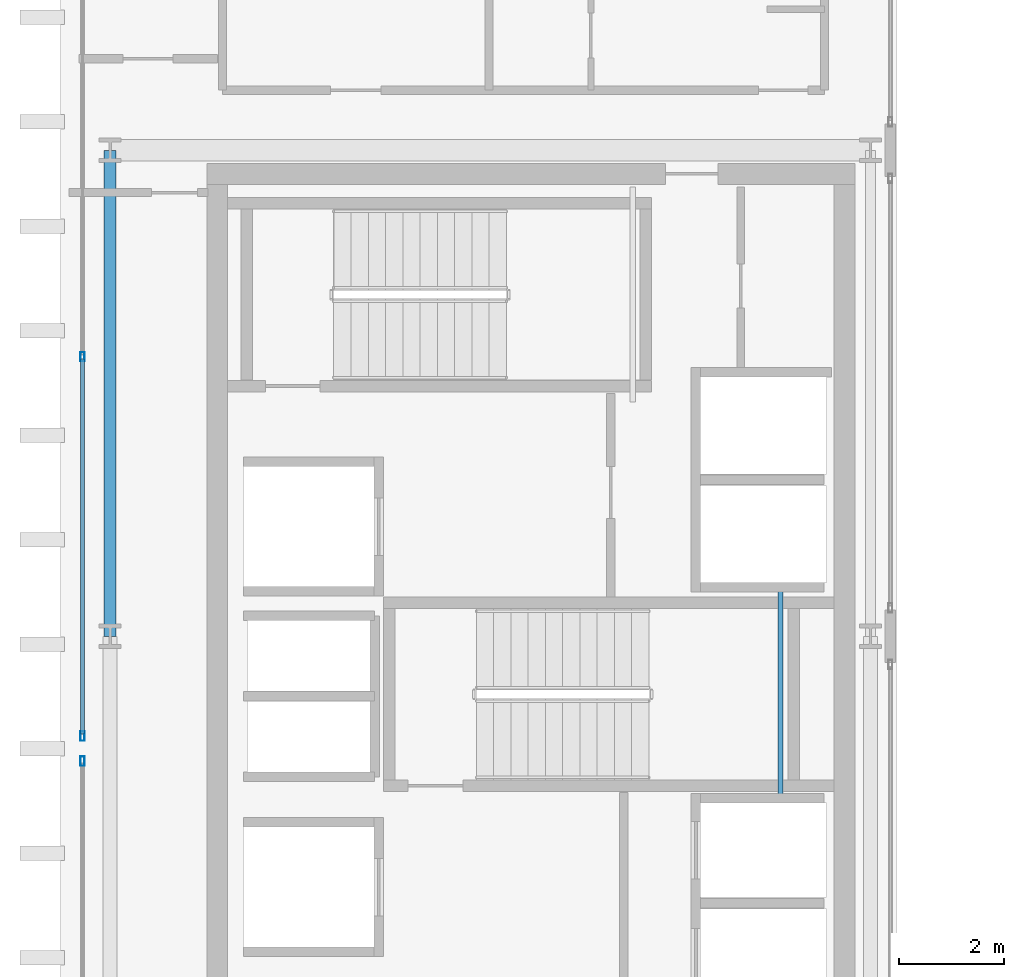
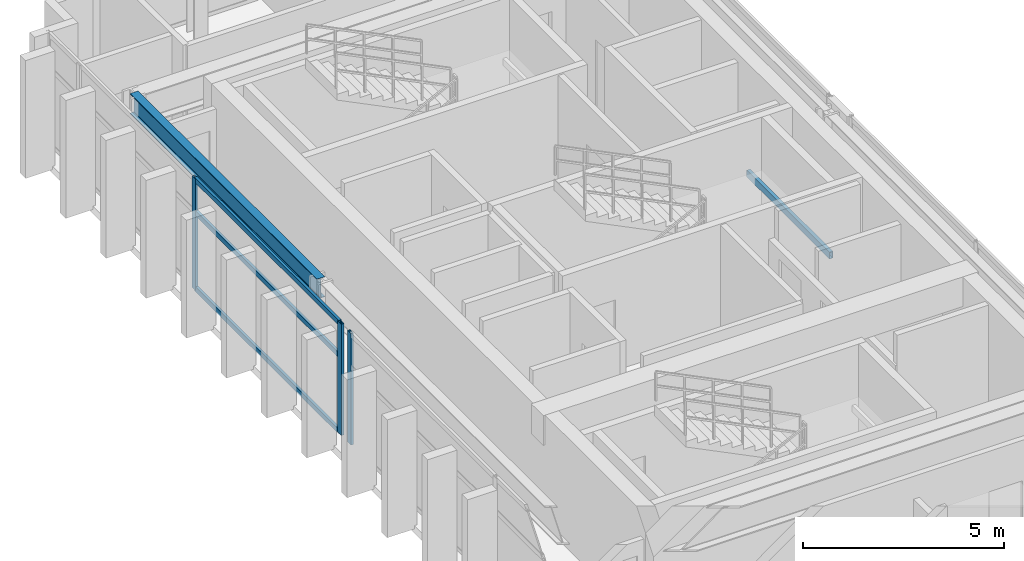
# One storey, part 5 of 25: 6 members, 2 beams, 2 elements without a shape of their own.
"""IFC4 building model written with IfcOpenShell, lengths in metres."""

from ifc_helpers import new_model, si_unit, direction, frame, origin, origin_2d, place, context, subcontext, project, spatial, hollow_rectangle, i_section, extrude, source, transform, mapped, material, layer, layer_set, material_profile, profile_set, type_object, element, aggregate, save


model = new_model("IFC4")

# Units and contexts
model_context = context("Model", 3, precision=1e-05, world=origin(), true_north=direction((0.0, 1.0)))
body_context = subcontext(model_context, "Body", "Model", "MODEL_VIEW")
ifc_project = project(units=[si_unit("LENGTHUNIT", "METRE"), si_unit("AREAUNIT", "SQUARE_METRE"), si_unit("VOLUMEUNIT", "CUBIC_METRE"), si_unit("PLANEANGLEUNIT", "RADIAN"), si_unit("MASSUNIT", "GRAM", prefix="KILO")], contexts=[model_context])

# Site, building, storey
site_placement = place(None, origin())
site = spatial("IfcSite", under=ifc_project, at=site_placement, CompositionType="ELEMENT")
building_placement = place(site_placement, origin())
building = spatial("IfcBuilding", under=site, at=building_placement, Name="Ocotamira Hotel", CompositionType="ELEMENT")
storey_placement = place(building_placement, frame((0.0, 0.0, 258.0)))
storey = spatial("IfcBuildingStorey", under=building, at=storey_placement, Name="L65", CompositionType="ELEMENT", Elevation=258.0)

# Beams
ifc_material_1 = material(Name="Steel ASTM A500 Grade C", Category="steel")
ifc_material_profile_1 = material_profile(ifc_material_1, hollow_rectangle(XDim=0.10009765625, YDim=0.199951171875, WallThickness=0.008056640625, at=origin_2d()), Name="HSS200X100X8")
ifc_profile_set_1 = profile_set([ifc_material_profile_1], Name="Steel ASTM A500 Grade C")
beam_type_1 = type_object("IfcBeamType", Name="BM-STLDG-HSS200", PredefinedType="BEAM", material=ifc_profile_set_1)
shared_shape_1 = source(origin(), body_context, "Body", "SweptSolid", [
    extrude(hollow_rectangle(XDim=0.10009765625, YDim=0.199951171875, WallThickness=0.008056640625, at=origin_2d()), origin(), (0.0, 0.0, 1.0), 4.1201171875),
])
beam_1_placement = place(storey_placement, frame((21.780029296875, 24.97998046875, 1.5), z_axis=(0.0, 1.0, 0.0), x_axis=(-1.0, 0.0, 0.0)))
element("IfcBeam", 1, at=beam_1_placement, inside=storey, type_object=beam_type_1, Name="L65 Stair ST-3 Landing Bearer 1", PredefinedType="BEAM", context=body_context, shape_type="MappedRepresentation", body=[
    mapped(shared_shape_1, transform((0.0, 0.0, 0.0), scale=1.0)),
])
ifc_material_2 = material(Name="Steel ASTM A992 Grade 50", Category="steel")
ifc_material_profile_2 = material_profile(ifc_material_2, i_section(OverallWidth=0.22998046875, OverallDepth=0.616943359375, WebThickness=0.01318359375, FlangeThickness=0.022216796875, FilletRadius=0.012939453125, at=origin_2d()), Name="W24X94")
ifc_profile_set_2 = profile_set([ifc_material_profile_2], Name="Steel ASTM A992 Grade 50")
beam_type_2 = type_object("IfcBeamType", Name="BM-PRIM-W24X94", PredefinedType="BEAM", material=ifc_profile_set_2)
shared_shape_2 = source(origin(), body_context, "Body", "SweptSolid", [
    extrude(i_section(OverallWidth=0.22998046875, OverallDepth=0.616943359375, WebThickness=0.01318359375, FlangeThickness=0.022216796875, FilletRadius=0.012939453125, at=origin_2d()), origin(), (0.0, 0.0, 1.0), 9.300048828125),
])
beam_2_placement = place(storey_placement, frame((8.949951171875, 28.14990234375, 3.071533203125), z_axis=(0.0, 1.0, 0.0), x_axis=(-1.0, 0.0, 0.0)))
element("IfcBeam", 2, at=beam_2_placement, inside=storey, type_object=beam_type_2, Name="L65 Beam X8.95 Y28.15-37.45", PredefinedType="BEAM", context=body_context, shape_type="MappedRepresentation", body=[
    mapped(shared_shape_2, transform((0.0, 0.0, 0.0), scale=1.0)),
])

# Curtain wall, member
ifc_material_3 = material(Name="Anodised pale-metal aluminium and solar glass", Category="aluminium")
ifc_layer = layer(ifc_material_3, 0.2099609375)
ifc_layer_set = layer_set([ifc_layer], Name="Anodised pale-metal aluminium and solar glass")
curtain_wall_type = type_object("IfcCurtainWallType", Name="CW-SYS7-PEAK", PredefinedType="NOTDEFINED", material=ifc_layer_set)
curtain_wall_1_placement = place(storey_placement, origin())
curtain_wall_1 = element("IfcCurtainWall", 3, at=curtain_wall_1_placement, inside=storey, type_object=curtain_wall_type, Name="L65 Curtain Wall CW-7 CW-L65-WO1", PredefinedType="NOTDEFINED")
ifc_material_4 = material(Name="Anodised pale-metal aluminium 6063-T6", Category="aluminium")
ifc_material_profile_3 = material_profile(ifc_material_4, hollow_rectangle(XDim=0.080078125, YDim=0.179931640625, WallThickness=0.006103515625, at=origin_2d()), Name="HSS180X80X6")
ifc_profile_set_3 = profile_set([ifc_material_profile_3], Name="Anodised pale-metal aluminium 6063-T6")
member_type_1 = type_object("IfcMemberType", Name="CWM-180X75", PredefinedType="MULLION", material=ifc_profile_set_3)
shared_shape_3 = source(origin(), body_context, "Body", "SweptSolid", [
    extrude(hollow_rectangle(XDim=0.080078125, YDim=0.179931640625, WallThickness=0.006103515625, at=origin_2d()), origin(), (0.0, 0.0, 1.0), 3.3798828125),
])
member_1_placement = place(storey_placement, frame((8.419921875, 25.760009765625, 0.0), z_axis=(0.0, 0.0, 1.0), x_axis=(-1.0, 0.0, 0.0)))
member_1 = element("IfcMember", 4, at=member_1_placement, type_object=member_type_1, Name="CW-7 mullion 3", PredefinedType="MULLION", context=body_context, shape_type="MappedRepresentation", body=[
    mapped(shared_shape_3, transform((0.0, 0.0, 0.0), scale=1.0)),
])
aggregate(curtain_wall_1, [member_1])

# Curtain wall, members
curtain_wall_2_placement = place(storey_placement, origin())
curtain_wall_2 = element("IfcCurtainWall", 5, at=curtain_wall_2_placement, inside=storey, type_object=curtain_wall_type, Name="L65 Curtain Wall CW-7 CW-L65-WO2", PredefinedType="NOTDEFINED")
member_2_placement = place(storey_placement, frame((8.419921875, 26.239990234375, 0.0), z_axis=(0.0, 0.0, 1.0), x_axis=(-1.0, 0.0, 0.0)))
member_2 = element("IfcMember", 6, at=member_2_placement, type_object=member_type_1, Name="CW-7 mullion 1", PredefinedType="MULLION", context=body_context, shape_type="MappedRepresentation", body=[
    mapped(shared_shape_3, transform((0.0, 0.0, 0.0), scale=1.0)),
])
member_3_placement = place(storey_placement, frame((8.419921875, 33.5, 0.0), z_axis=(0.0, 0.0, 1.0), x_axis=(-1.0, 0.0, 0.0)))
member_3 = element("IfcMember", 7, at=member_3_placement, type_object=member_type_1, Name="CW-7 mullion 2", PredefinedType="MULLION", context=body_context, shape_type="MappedRepresentation", body=[
    mapped(shared_shape_3, transform((0.0, 0.0, 0.0), scale=1.0)),
])
ifc_material_profile_4 = material_profile(ifc_material_4, hollow_rectangle(XDim=0.074951171875, YDim=0.14990234375, WallThickness=0.006103515625, at=origin_2d()), Name="HSS150X75X6")
ifc_profile_set_4 = profile_set([ifc_material_profile_4], Name="Anodised pale-metal aluminium 6063-T6")
member_type_2 = type_object("IfcMemberType", Name="CWT-150X75", PredefinedType="USERDEFINED", material=ifc_profile_set_4)
shared_shape_4 = source(origin(), body_context, "Body", "SweptSolid", [
    extrude(hollow_rectangle(XDim=0.074951171875, YDim=0.14990234375, WallThickness=0.006103515625, at=origin_2d()), origin(), (0.0, 0.0, 1.0), 7.179931640625),
])
member_4_placement = place(storey_placement, frame((8.419921875, 26.280029296875, 0.03759765625), z_axis=(0.0, 1.0, 0.0), x_axis=(-1.0, 0.0, 0.0)))
member_4 = element("IfcMember", 8, at=member_4_placement, type_object=member_type_2, Name="CW-7 transom 1.1", ObjectType="TRANSOM", PredefinedType="USERDEFINED", context=body_context, shape_type="MappedRepresentation", body=[
    mapped(shared_shape_4, transform((0.0, 0.0, 0.0), scale=1.0)),
])
member_5_placement = place(storey_placement, frame((8.419921875, 26.280029296875, 2.35009765625), z_axis=(0.0, 1.0, 0.0), x_axis=(-1.0, 0.0, 0.0)))
member_5 = element("IfcMember", 9, at=member_5_placement, type_object=member_type_2, Name="CW-7 transom 1.2", ObjectType="TRANSOM", PredefinedType="USERDEFINED", context=body_context, shape_type="MappedRepresentation", body=[
    mapped(shared_shape_4, transform((0.0, 0.0, 0.0), scale=1.0)),
])
member_6_placement = place(storey_placement, frame((8.419921875, 26.280029296875, 3.342529296875), z_axis=(0.0, 1.0, 0.0), x_axis=(-1.0, 0.0, 0.0)))
member_6 = element("IfcMember", 10, at=member_6_placement, type_object=member_type_2, Name="CW-7 transom 1.3", ObjectType="TRANSOM", PredefinedType="USERDEFINED", context=body_context, shape_type="MappedRepresentation", body=[
    mapped(shared_shape_4, transform((0.0, 0.0, 0.0), scale=1.0)),
])
aggregate(curtain_wall_2, [member_2, member_3, member_4, member_5, member_6])

save(model, "model.ifc")
